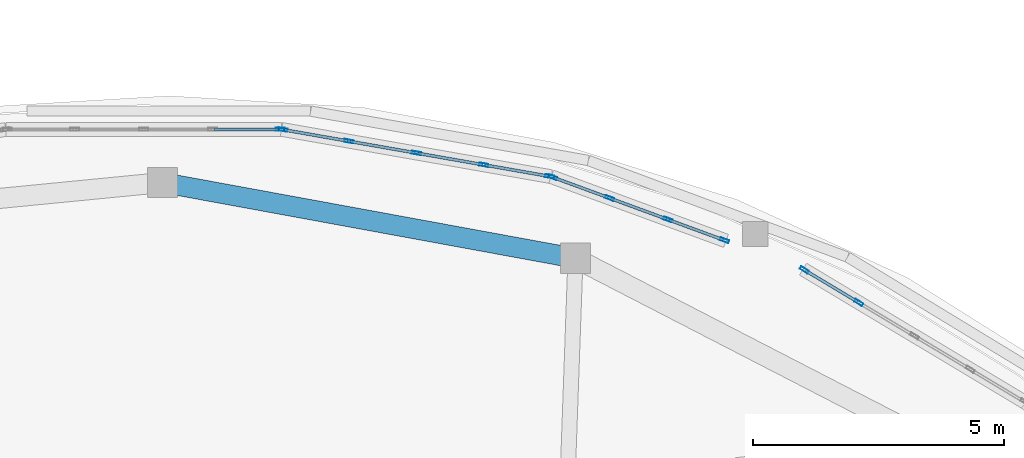
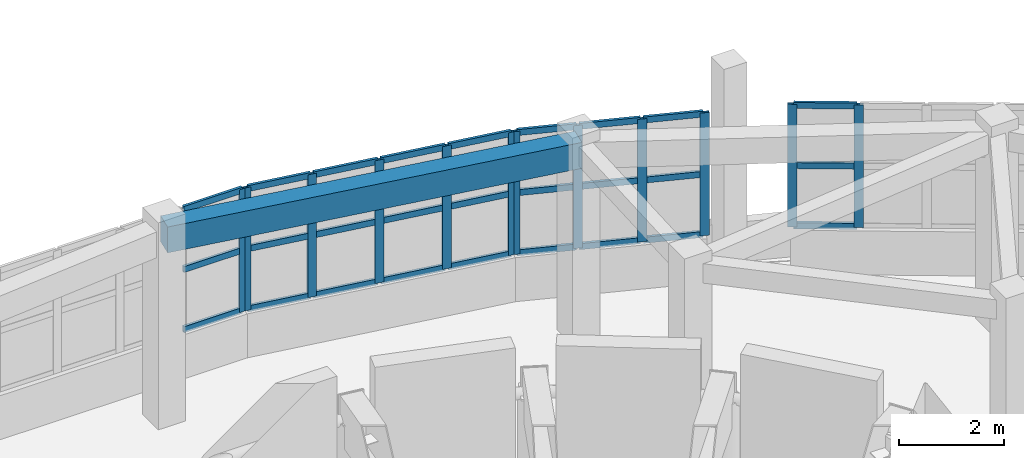
# One storey, part 33 of 69: 39 members, 1 beam, 4 elements without a shape of their own.
"""IFC4 building model written with IfcOpenShell, lengths in metres."""

import ifcopenshell
import ifcopenshell.guid

model = None  # the IFC model being written
_history = None  # IfcOwnerHistory: only IFC2X3 demands one
_inside = {}  # id of a spatial element -> (the spatial element, [elements in it])
_under = {}  # id of a project, library or spatial element -> (it, [spatial elements below it])
_declared = {}  # id of a project -> (the project, [libraries it declares])
_typed = {}  # id of a type object -> (the type object, [elements of that type])
_made_of = {}  # id of a material, layer set ... -> (it, [elements and type objects made of it])


def new_model(schema):
    """Start an empty IFC model of exactly this schema.

    Asked for "IFC4X3", IfcOpenShell would pick the latest addendum, in which some entities
    have other attributes; the version numbers below select the first issue.
    IFC2X3 requires an IfcOwnerHistory on every rooted entity: one is made here for all.
    """
    global model, _history
    if schema == "IFC4X3":
        model = ifcopenshell.file(schema_version=(4, 3, 0, 0))
    else:
        model = ifcopenshell.file(schema=schema)
    _inside.clear()
    _under.clear()
    _declared.clear()
    _typed.clear()
    _made_of.clear()
    _history = None
    if model.schema == "IFC2X3":
        org = make("IfcOrganization", Name="unknown")
        user = make(
            "IfcPersonAndOrganization",
            ThePerson=make("IfcPerson", FamilyName="unknown"),
            TheOrganization=org,
        )
        app = make(
            "IfcApplication",
            ApplicationDeveloper=org,
            Version="unknown",
            ApplicationFullName="unknown",
            ApplicationIdentifier="unknown",
        )
        _history = make(
            "IfcOwnerHistory",
            OwningUser=user,
            OwningApplication=app,
            ChangeAction="ADDED",
            CreationDate=0,
        )
    return model


def make(cls, **values):
    """One entity of the class cls with the attributes given. An attribute that is None is left unset."""
    return model.create_entity(
        cls, **{name: value for name, value in values.items() if value is not None}
    )


def rooted(cls, **values):
    """An entity with a GlobalId (a new one), such as an element, a storey or a relation."""
    return make(cls, GlobalId=ifcopenshell.guid.new(), OwnerHistory=_history, **values)


def si_unit(unit_type, name, prefix=None):
    """IfcSIUnit, for example si_unit("LENGTHUNIT", "METRE", prefix="MILLI")."""
    return make("IfcSIUnit", UnitType=unit_type, Prefix=prefix, Name=name)


def assignment(units):
    """IfcUnitAssignment: the units of a project."""
    return None if units is None else make("IfcUnitAssignment", Units=units)


def point(xyz):
    """IfcCartesianPoint."""
    return None if xyz is None else make("IfcCartesianPoint", Coordinates=xyz)


def direction(xyz):
    """IfcDirection."""
    return None if xyz is None else make("IfcDirection", DirectionRatios=xyz)


def frame(location, z_axis=None, x_axis=None):
    """IfcAxis2Placement3D, a coordinate frame: its origin and axes. An axis left out is left unset."""
    return make(
        "IfcAxis2Placement3D",
        Location=point(location),
        Axis=direction(z_axis),
        RefDirection=direction(x_axis),
    )


def frame_2d(location, x_axis=None):
    """IfcAxis2Placement2D, a coordinate frame in the plane: its origin and x axis."""
    return make(
        "IfcAxis2Placement2D", Location=point(location), RefDirection=direction(x_axis)
    )


def origin():
    """The frame at (0, 0, 0) with its axes left unset."""
    return frame((0.0, 0.0, 0.0))


def origin_2d():
    """The frame at (0, 0) in the plane with its x axis left unset."""
    return frame_2d((0.0, 0.0))


def place(relative_to, where):
    """IfcLocalPlacement: puts the frame where relative to a parent placement (None: the world)."""
    return make(
        "IfcLocalPlacement", PlacementRelTo=relative_to, RelativePlacement=where
    )


def context(
    kind, dimensions, precision=None, world=None, true_north=None, identifier=None
):
    """IfcGeometricRepresentationContext, for example the 3D "Model" context."""
    return make(
        "IfcGeometricRepresentationContext",
        ContextIdentifier=identifier,
        ContextType=kind,
        CoordinateSpaceDimension=dimensions,
        Precision=precision,
        WorldCoordinateSystem=world,
        TrueNorth=true_north,
    )


def subcontext(parent, identifier, kind, view, scale=None):
    """IfcGeometricRepresentationSubContext, for example "Body" below "Model"."""
    return make(
        "IfcGeometricRepresentationSubContext",
        ContextIdentifier=identifier,
        ContextType=kind,
        ParentContext=parent,
        TargetScale=scale,
        TargetView=view,
    )


def project(units=None, contexts=None):
    """IfcProject with its units and contexts."""
    return rooted(
        "IfcProject",
        Name="project",
        RepresentationContexts=contexts,
        UnitsInContext=assignment(units),
    )


def spatial(cls, under=None, at=None, **own):
    """A site, building, storey or space (cls), placed at a placement, below another one or the project."""
    s = rooted(cls, ObjectPlacement=at, **own)
    if under is not None:
        _under.setdefault(under.id(), (under, []))[1].append(s)
    return s


def profile(cls, at=None, kind="AREA", **sizes):
    """A parametric profile (cls). Its sizes go by their IFC names, for example OverallWidth=200.0."""
    return make(cls, ProfileType=kind, Position=at, **sizes)


def rectangle(**sizes):
    """IfcRectangleProfileDef."""
    return profile("IfcRectangleProfileDef", **sizes)


def hollow_rectangle(**sizes):
    """IfcRectangleHollowProfileDef."""
    return profile("IfcRectangleHollowProfileDef", **sizes)


def extrude(swept, where, along, depth):
    """IfcExtrudedAreaSolid: the profile swept, set in the frame where, extruded along a direction by depth."""
    return make(
        "IfcExtrudedAreaSolid",
        SweptArea=swept,
        Position=where,
        ExtrudedDirection=direction(along),
        Depth=depth,
    )


def shape(context_of_items, identifier, shape_type, items):
    """IfcShapeRepresentation: the items that make up one representation, for example the "Body"."""
    return make(
        "IfcShapeRepresentation",
        ContextOfItems=context_of_items,
        RepresentationIdentifier=identifier,
        RepresentationType=shape_type,
        Items=items,
    )


def material(Name=None, Category=None):
    """IfcMaterial."""
    return make("IfcMaterial", Name=Name, Category=Category)


def layer(
    of_material, thickness, ventilated=None, Name=None, Category=None, Priority=None
):
    """IfcMaterialLayer: one layer of a wall or slab, of a material (None: an air gap)."""
    return make(
        "IfcMaterialLayer",
        Material=of_material,
        LayerThickness=thickness,
        IsVentilated=ventilated,
        Name=Name,
        Category=Category,
        Priority=Priority,
    )


def layer_set(layers, Name=None):
    """IfcMaterialLayerSet."""
    return make("IfcMaterialLayerSet", MaterialLayers=layers, LayerSetName=Name)


def material_profile(
    of_material, cross_section, Name=None, Category=None, Priority=None
):
    """IfcMaterialProfile: a cross section and its material."""
    return make(
        "IfcMaterialProfile",
        Name=Name,
        Material=of_material,
        Profile=cross_section,
        Priority=Priority,
        Category=Category,
    )


def profile_set(profiles, Name=None, composite=None):
    """IfcMaterialProfileSet."""
    return make(
        "IfcMaterialProfileSet",
        Name=Name,
        MaterialProfiles=profiles,
        CompositeProfile=composite,
    )


def made_of(thing, what):
    """Note that an element or type object is made of a material, layer set ...; save() writes the relation."""
    if what is not None:
        _made_of.setdefault(what.id(), (what, []))[1].append(thing)
    return thing


def type_object(cls, material=None, **own):
    """A type object (cls), such as IfcWallType, which elements share."""
    return made_of(rooted(cls, **own), material)


def element(
    cls,
    number,
    at=None,
    inside=None,
    cuts=None,
    type_object=None,
    material=None,
    context=None,
    identifier="Body",
    shape_type=None,
    held_by="IfcProductDefinitionShape",
    body=None,
    shapes=None,
    **own,
):
    """One element of the class cls, such as IfcWall. Its Tag is "e" and its number.

    at: its placement. inside: the storey or other place that contains it. cuts: it is an
    opening in that element (IfcRelVoidsElement). A single representation is given by context,
    identifier, shape_type and body (its items); several are given by shapes. held_by: the class
    of the entity that holds the representations. save() writes the other relations.
    """
    e = rooted(cls, Tag="e%d" % number, ObjectPlacement=at, **own)
    if body is not None:
        shapes = [shape(context, identifier, shape_type, body)]
    if shapes is not None:
        e.Representation = make(held_by, Representations=shapes)
    if inside is not None:
        _inside.setdefault(inside.id(), (inside, []))[1].append(e)
    if cuts is not None:
        rooted(
            "IfcRelVoidsElement", RelatingBuildingElement=cuts, RelatedOpeningElement=e
        )
    if type_object is not None:
        _typed.setdefault(type_object.id(), (type_object, []))[1].append(e)
    return made_of(e, material)


def aggregate(whole, parts):
    """IfcRelAggregates: a whole, such as a stair, and the parts it consists of."""
    return rooted("IfcRelAggregates", RelatingObject=whole, RelatedObjects=parts)


def save(model, path):
    """Write the relations noted so far, then the file.

    IfcRelAggregates (storeys below a building ...), IfcRelContainedInSpatialStructure (elements
    in a storey), IfcRelDefinesByType, IfcRelAssociatesMaterial and IfcRelDeclares: one each for
    every whole, place, type object, material and project.
    """
    for whole, parts in _under.values():
        aggregate(whole, parts)
    for where, things in _inside.values():
        rooted(
            "IfcRelContainedInSpatialStructure",
            RelatedElements=things,
            RelatingStructure=where,
        )
    for kind, things in _typed.values():
        rooted("IfcRelDefinesByType", RelatedObjects=things, RelatingType=kind)
    for what, things in _made_of.values():
        rooted("IfcRelAssociatesMaterial", RelatedObjects=things, RelatingMaterial=what)
    for by, libraries in _declared.values():
        rooted("IfcRelDeclares", RelatingContext=by, RelatedDefinitions=libraries)
    model.write(path)


model = new_model("IFC4")

# Units and contexts
model_context = context("Model", 3, precision=1e-05, world=origin(), true_north=direction((0.0, 1.0)))
body_context = subcontext(model_context, "Body", "Model", "MODEL_VIEW")
ifc_project = project(units=[si_unit("LENGTHUNIT", "METRE"), si_unit("AREAUNIT", "SQUARE_METRE"), si_unit("VOLUMEUNIT", "CUBIC_METRE"), si_unit("PLANEANGLEUNIT", "RADIAN"), si_unit("MASSUNIT", "GRAM", prefix="KILO")], contexts=[model_context])

# Site, building, storey
site_placement = place(None, origin())
site = spatial("IfcSite", under=ifc_project, at=site_placement, CompositionType="ELEMENT")
building_placement = place(site_placement, origin())
building = spatial("IfcBuilding", under=site, at=building_placement, Name="Pelvatis Terrace Science Centre", CompositionType="ELEMENT")
storey_placement = place(building_placement, frame((0.0, 0.0, 15.0)))
storey = spatial("IfcBuildingStorey", under=building, at=storey_placement, Name="L03", CompositionType="ELEMENT", Elevation=15.0)

# Beam
ifc_material_1 = material(Name="Concrete C35/45", Category="concrete")
ifc_material_profile_1 = material_profile(ifc_material_1, rectangle(XDim=0.39990234375, YDim=0.60009765625, at=origin_2d()), Name="RC-BM 400x600")
ifc_profile_set_1 = profile_set([ifc_material_profile_1], Name="Concrete C35/45")
beam_type = type_object("IfcBeamType", Name="BM-RC-400x600", PredefinedType="BEAM", material=ifc_profile_set_1)
beam_placement = place(storey_placement, frame((118.69482421875, 102.9658203125, 4.25), z_axis=(-0.983601549943, 0.180355179991, 0.0), x_axis=(-0.180355179991, -0.983601549943, 0.0)))
element("IfcBeam", 1, at=beam_placement, inside=storey, type_object=beam_type, Name="Beam BM-L03-3016", PredefinedType="BEAM", context=body_context, shape_type="SweptSolid", body=[
    extrude(rectangle(XDim=0.39990234375, YDim=0.60009765625, at=origin_2d()), origin(), (0.0, 0.0, 1.0), 8.3603515625),
])

# Curtain wall, members
ifc_material_2 = material(Name="Bronze-anodised aluminium and laminated glass", Category="aluminium")
ifc_layer = layer(ifc_material_2, 0.179931640625)
ifc_layer_set = layer_set([ifc_layer], Name="Bronze-anodised aluminium and laminated glass")
curtain_wall_type = type_object("IfcCurtainWallType", Name="CW-RIBBON-A", PredefinedType="NOTDEFINED", material=ifc_layer_set)
curtain_wall_1_placement = place(storey_placement, origin())
curtain_wall_1 = element("IfcCurtainWall", 2, at=curtain_wall_1_placement, inside=storey, type_object=curtain_wall_type, Name="Ribbon curtain wall CW-187 (L03)", PredefinedType="NOTDEFINED")
ifc_material_3 = material(Name="Bronze-anodised aluminium 6063-T6", Category="aluminium")
ifc_material_profile_2 = material_profile(ifc_material_3, hollow_rectangle(XDim=0.06005859375, YDim=0.179931640625, WallThickness=0.00390625, at=origin_2d()), Name="ALU-MUL 60x180")
ifc_profile_set_2 = profile_set([ifc_material_profile_2], Name="Bronze-anodised aluminium 6063-T6")
member_type_1 = type_object("IfcMemberType", Name="CWM-60x180", PredefinedType="MULLION", material=ifc_profile_set_2)
member_1_placement = place(storey_placement, frame((124.3349609375, 102.084228515625, 1.02001953125), z_axis=(0.0, 0.0, 1.0), x_axis=(-0.51399559594, -0.857792823096, 0.0)))
member_1 = element("IfcMember", 3, at=member_1_placement, type_object=member_type_1, Name="CW-187 mullion 4", PredefinedType="MULLION", context=body_context, shape_type="SweptSolid", body=[
    extrude(hollow_rectangle(XDim=0.06005859375, YDim=0.179931640625, WallThickness=0.00390625, at=origin_2d()), origin(), (0.0, 0.0, 1.0), 2.85009765625),
])
member_2_placement = place(storey_placement, frame((123.250732421875, 102.73388671875, 1.02001953125), z_axis=(0.0, 0.0, 1.0), x_axis=(-0.51399559594, -0.857792823096, 0.0)))
member_2 = element("IfcMember", 4, at=member_2_placement, type_object=member_type_1, Name="CW-187 mullion 5", PredefinedType="MULLION", context=body_context, shape_type="SweptSolid", body=[
    extrude(hollow_rectangle(XDim=0.06005859375, YDim=0.179931640625, WallThickness=0.00390625, at=origin_2d()), origin(), (0.0, 0.0, 1.0), 2.85009765625),
])

curtain_wall_2_placement = place(storey_placement, origin())
curtain_wall_2 = element("IfcCurtainWall", 5, at=curtain_wall_2_placement, inside=storey, type_object=curtain_wall_type, Name="Ribbon curtain wall CW-188 (L03)", PredefinedType="NOTDEFINED")
member_3_placement = place(storey_placement, frame((121.663818359375, 103.32275390625, 1.02001953125), z_axis=(0.0, 0.0, 1.0), x_axis=(-0.344727736262, -0.938702715374, 0.0)))
member_3 = element("IfcMember", 6, at=member_3_placement, type_object=member_type_1, Name="CW-188 mullion 1", PredefinedType="MULLION", context=body_context, shape_type="SweptSolid", body=[
    extrude(hollow_rectangle(XDim=0.06005859375, YDim=0.179931640625, WallThickness=0.00390625, at=origin_2d()), origin(), (0.0, 0.0, 1.0), 2.85009765625),
])
member_4_placement = place(storey_placement, frame((120.531982421875, 103.73828125, 1.02001953125), z_axis=(0.0, 0.0, 1.0), x_axis=(-0.344727736262, -0.938702715374, 0.0)))
member_4 = element("IfcMember", 7, at=member_4_placement, type_object=member_type_1, Name="CW-188 mullion 2", PredefinedType="MULLION", context=body_context, shape_type="SweptSolid", body=[
    extrude(hollow_rectangle(XDim=0.06005859375, YDim=0.179931640625, WallThickness=0.00390625, at=origin_2d()), origin(), (0.0, 0.0, 1.0), 2.85009765625),
])
member_5_placement = place(storey_placement, frame((119.371826171875, 104.164306640625, 1.02001953125), z_axis=(0.0, 0.0, 1.0), x_axis=(-0.344727736262, -0.938702715374, 0.0)))
member_5 = element("IfcMember", 8, at=member_5_placement, type_object=member_type_1, Name="CW-188 mullion 3", PredefinedType="MULLION", context=body_context, shape_type="SweptSolid", body=[
    extrude(hollow_rectangle(XDim=0.06005859375, YDim=0.179931640625, WallThickness=0.00390625, at=origin_2d()), origin(), (0.0, 0.0, 1.0), 2.85009765625),
])
member_6_placement = place(storey_placement, frame((118.23974609375, 104.580078125, 1.02001953125), z_axis=(0.0, 0.0, 1.0), x_axis=(-0.344727736262, -0.938702715374, 0.0)))
member_6 = element("IfcMember", 9, at=member_6_placement, type_object=member_type_1, Name="CW-188 mullion 4", PredefinedType="MULLION", context=body_context, shape_type="SweptSolid", body=[
    extrude(hollow_rectangle(XDim=0.06005859375, YDim=0.179931640625, WallThickness=0.00390625, at=origin_2d()), origin(), (0.0, 0.0, 1.0), 2.85009765625),
])

curtain_wall_3_placement = place(storey_placement, origin())
curtain_wall_3 = element("IfcCurtainWall", 10, at=curtain_wall_3_placement, inside=storey, type_object=curtain_wall_type, Name="Ribbon curtain wall CW-189 (L03)", PredefinedType="NOTDEFINED")
member_7_placement = place(storey_placement, frame((118.18212890625, 104.595458984375, 1.02001953125), z_axis=(0.0, 0.0, 1.0), x_axis=(-0.172671428067, -0.984979480969, 0.0)))
member_7 = element("IfcMember", 11, at=member_7_placement, type_object=member_type_1, Name="CW-189 mullion 1", PredefinedType="MULLION", context=body_context, shape_type="SweptSolid", body=[
    extrude(hollow_rectangle(XDim=0.06005859375, YDim=0.179931640625, WallThickness=0.00390625, at=origin_2d()), origin(), (0.0, 0.0, 1.0), 2.85009765625),
])
member_8_placement = place(storey_placement, frame((116.86962890625, 104.82568359375, 1.02001953125), z_axis=(0.0, 0.0, 1.0), x_axis=(-0.172671428067, -0.984979480969, 0.0)))
member_8 = element("IfcMember", 12, at=member_8_placement, type_object=member_type_1, Name="CW-189 mullion 2", PredefinedType="MULLION", context=body_context, shape_type="SweptSolid", body=[
    extrude(hollow_rectangle(XDim=0.06005859375, YDim=0.179931640625, WallThickness=0.00390625, at=origin_2d()), origin(), (0.0, 0.0, 1.0), 2.85009765625),
])
member_9_placement = place(storey_placement, frame((115.52783203125, 105.060791015625, 1.02001953125), z_axis=(0.0, 0.0, 1.0), x_axis=(-0.172671428067, -0.984979480969, 0.0)))
member_9 = element("IfcMember", 13, at=member_9_placement, type_object=member_type_1, Name="CW-189 mullion 3", PredefinedType="MULLION", context=body_context, shape_type="SweptSolid", body=[
    extrude(hollow_rectangle(XDim=0.06005859375, YDim=0.179931640625, WallThickness=0.00390625, at=origin_2d()), origin(), (0.0, 0.0, 1.0), 2.85009765625),
])
member_10_placement = place(storey_placement, frame((114.185791015625, 105.296142578125, 1.02001953125), z_axis=(0.0, 0.0, 1.0), x_axis=(-0.172671428067, -0.984979480969, 0.0)))
member_10 = element("IfcMember", 14, at=member_10_placement, type_object=member_type_1, Name="CW-189 mullion 4", PredefinedType="MULLION", context=body_context, shape_type="SweptSolid", body=[
    extrude(hollow_rectangle(XDim=0.06005859375, YDim=0.179931640625, WallThickness=0.00390625, at=origin_2d()), origin(), (0.0, 0.0, 1.0), 2.85009765625),
])
member_11_placement = place(storey_placement, frame((112.87353515625, 105.526123046875, 1.02001953125), z_axis=(0.0, 0.0, 1.0), x_axis=(-0.172671428067, -0.984979480969, 0.0)))
member_11 = element("IfcMember", 15, at=member_11_placement, type_object=member_type_1, Name="CW-189 mullion 5", PredefinedType="MULLION", context=body_context, shape_type="SweptSolid", body=[
    extrude(hollow_rectangle(XDim=0.06005859375, YDim=0.179931640625, WallThickness=0.00390625, at=origin_2d()), origin(), (0.0, 0.0, 1.0), 2.85009765625),
])

# Curtain wall, member
curtain_wall_4_placement = place(storey_placement, origin())
curtain_wall_4 = element("IfcCurtainWall", 16, at=curtain_wall_4_placement, inside=storey, type_object=curtain_wall_type, Name="Ribbon curtain wall CW-190 (L03)", PredefinedType="NOTDEFINED")
member_12_placement = place(storey_placement, frame((112.81396484375, 105.531494140625, 1.02001953125), z_axis=(0.0, 0.0, 1.0), x_axis=(0.0, -1.0, 0.0)))
member_12 = element("IfcMember", 17, at=member_12_placement, type_object=member_type_1, Name="CW-190 mullion 1", PredefinedType="MULLION", context=body_context, shape_type="SweptSolid", body=[
    extrude(hollow_rectangle(XDim=0.06005859375, YDim=0.179931640625, WallThickness=0.00390625, at=origin_2d()), origin(), (0.0, 0.0, 1.0), 2.85009765625),
])

# Member
ifc_material_4 = material(Name="Bronze-anodised aluminium 6063-T6", Category="aluminium")
ifc_material_profile_3 = material_profile(ifc_material_4, hollow_rectangle(XDim=0.06005859375, YDim=0.139892578125, WallThickness=0.00390625, at=origin_2d()), Name="ALU-TRN 60x140")
ifc_profile_set_3 = profile_set([ifc_material_profile_3], Name="Bronze-anodised aluminium 6063-T6")
member_type_2 = type_object("IfcMemberType", Name="CWT-60x140", PredefinedType="USERDEFINED", material=ifc_profile_set_3)
member_13_placement = place(storey_placement, frame((124.30908203125, 102.099853515625, 1.050048828125), z_axis=(-0.857850603365, 0.513899155775, 0.0), x_axis=(-0.513899155775, -0.857850603365, 0.0)))
member_13 = element("IfcMember", 18, at=member_13_placement, type_object=member_type_2, Name="CW-187 transom 4.1", ObjectType="TRANSOM", PredefinedType="USERDEFINED", context=body_context, shape_type="SweptSolid", body=[
    extrude(hollow_rectangle(XDim=0.06005859375, YDim=0.139892578125, WallThickness=0.00390625, at=origin_2d()), origin(), (0.0, 0.0, 1.0), 1.203857421875),
])

member_14_placement = place(storey_placement, frame((124.30908203125, 102.099853515625, 2.445068359375), z_axis=(-0.857850603365, 0.513899155775, 0.0), x_axis=(-0.513899155775, -0.857850603365, 0.0)))
member_14 = element("IfcMember", 19, at=member_14_placement, type_object=member_type_2, Name="CW-187 transom 4.2", ObjectType="TRANSOM", PredefinedType="USERDEFINED", context=body_context, shape_type="SweptSolid", body=[
    extrude(hollow_rectangle(XDim=0.06005859375, YDim=0.139892578125, WallThickness=0.00390625, at=origin_2d()), origin(), (0.0, 0.0, 1.0), 1.203857421875),
])

member_15_placement = place(storey_placement, frame((124.30908203125, 102.099853515625, 3.840087890625), z_axis=(-0.857850603365, 0.513899155775, 0.0), x_axis=(-0.513899155775, -0.857850603365, 0.0)))
member_15 = element("IfcMember", 20, at=member_15_placement, type_object=member_type_2, Name="CW-187 transom 4.3", ObjectType="TRANSOM", PredefinedType="USERDEFINED", context=body_context, shape_type="SweptSolid", body=[
    extrude(hollow_rectangle(XDim=0.06005859375, YDim=0.139892578125, WallThickness=0.00390625, at=origin_2d()), origin(), (0.0, 0.0, 1.0), 1.203857421875),
])

aggregate(curtain_wall_1, [member_1, member_2, member_13, member_14, member_15])

member_16_placement = place(storey_placement, frame((121.6357421875, 103.3330078125, 1.050048828125), z_axis=(-0.938706344417, 0.344717854123, 0.0), x_axis=(-0.344717854123, -0.938706344417, 0.0)))
member_16 = element("IfcMember", 21, at=member_16_placement, type_object=member_type_2, Name="CW-188 transom 1.1", ObjectType="TRANSOM", PredefinedType="USERDEFINED", context=body_context, shape_type="SweptSolid", body=[
    extrude(hollow_rectangle(XDim=0.06005859375, YDim=0.139892578125, WallThickness=0.00390625, at=origin_2d()), origin(), (0.0, 0.0, 1.0), 1.14599609375),
])

member_17_placement = place(storey_placement, frame((121.6357421875, 103.3330078125, 2.445068359375), z_axis=(-0.938706344417, 0.344717854123, 0.0), x_axis=(-0.344717854123, -0.938706344417, 0.0)))
member_17 = element("IfcMember", 22, at=member_17_placement, type_object=member_type_2, Name="CW-188 transom 1.2", ObjectType="TRANSOM", PredefinedType="USERDEFINED", context=body_context, shape_type="SweptSolid", body=[
    extrude(hollow_rectangle(XDim=0.06005859375, YDim=0.139892578125, WallThickness=0.00390625, at=origin_2d()), origin(), (0.0, 0.0, 1.0), 1.14599609375),
])

member_18_placement = place(storey_placement, frame((121.6357421875, 103.3330078125, 3.840087890625), z_axis=(-0.938706344417, 0.344717854123, 0.0), x_axis=(-0.344717854123, -0.938706344417, 0.0)))
member_18 = element("IfcMember", 23, at=member_18_placement, type_object=member_type_2, Name="CW-188 transom 1.3", ObjectType="TRANSOM", PredefinedType="USERDEFINED", context=body_context, shape_type="SweptSolid", body=[
    extrude(hollow_rectangle(XDim=0.06005859375, YDim=0.139892578125, WallThickness=0.00390625, at=origin_2d()), origin(), (0.0, 0.0, 1.0), 1.14599609375),
])

member_19_placement = place(storey_placement, frame((120.503662109375, 103.748779296875, 1.050048828125), z_axis=(-0.938721867308, 0.344675580564, 0.0), x_axis=(-0.344675580564, -0.938721867308, 0.0)))
member_19 = element("IfcMember", 24, at=member_19_placement, type_object=member_type_2, Name="CW-188 transom 2.1", ObjectType="TRANSOM", PredefinedType="USERDEFINED", context=body_context, shape_type="SweptSolid", body=[
    extrude(hollow_rectangle(XDim=0.06005859375, YDim=0.139892578125, WallThickness=0.00390625, at=origin_2d()), origin(), (0.0, 0.0, 1.0), 1.17578125),
])

member_20_placement = place(storey_placement, frame((120.503662109375, 103.748779296875, 2.445068359375), z_axis=(-0.938721867308, 0.344675580564, 0.0), x_axis=(-0.344675580564, -0.938721867308, 0.0)))
member_20 = element("IfcMember", 25, at=member_20_placement, type_object=member_type_2, Name="CW-188 transom 2.2", ObjectType="TRANSOM", PredefinedType="USERDEFINED", context=body_context, shape_type="SweptSolid", body=[
    extrude(hollow_rectangle(XDim=0.06005859375, YDim=0.139892578125, WallThickness=0.00390625, at=origin_2d()), origin(), (0.0, 0.0, 1.0), 1.17578125),
])

member_21_placement = place(storey_placement, frame((120.503662109375, 103.748779296875, 3.840087890625), z_axis=(-0.938721867308, 0.344675580564, 0.0), x_axis=(-0.344675580564, -0.938721867308, 0.0)))
member_21 = element("IfcMember", 26, at=member_21_placement, type_object=member_type_2, Name="CW-188 transom 2.3", ObjectType="TRANSOM", PredefinedType="USERDEFINED", context=body_context, shape_type="SweptSolid", body=[
    extrude(hollow_rectangle(XDim=0.06005859375, YDim=0.139892578125, WallThickness=0.00390625, at=origin_2d()), origin(), (0.0, 0.0, 1.0), 1.17578125),
])

member_22_placement = place(storey_placement, frame((119.34375, 104.1748046875, 1.050048828125), z_axis=(-0.938706344417, 0.344717854123, 0.0), x_axis=(-0.344717854123, -0.938706344417, 0.0)))
member_22 = element("IfcMember", 27, at=member_22_placement, type_object=member_type_2, Name="CW-188 transom 3.1", ObjectType="TRANSOM", PredefinedType="USERDEFINED", context=body_context, shape_type="SweptSolid", body=[
    extrude(hollow_rectangle(XDim=0.06005859375, YDim=0.139892578125, WallThickness=0.00390625, at=origin_2d()), origin(), (0.0, 0.0, 1.0), 1.14599609375),
])

member_23_placement = place(storey_placement, frame((119.34375, 104.1748046875, 2.445068359375), z_axis=(-0.938706344417, 0.344717854123, 0.0), x_axis=(-0.344717854123, -0.938706344417, 0.0)))
member_23 = element("IfcMember", 28, at=member_23_placement, type_object=member_type_2, Name="CW-188 transom 3.2", ObjectType="TRANSOM", PredefinedType="USERDEFINED", context=body_context, shape_type="SweptSolid", body=[
    extrude(hollow_rectangle(XDim=0.06005859375, YDim=0.139892578125, WallThickness=0.00390625, at=origin_2d()), origin(), (0.0, 0.0, 1.0), 1.14599609375),
])

member_24_placement = place(storey_placement, frame((119.34375, 104.1748046875, 3.840087890625), z_axis=(-0.938706344417, 0.344717854123, 0.0), x_axis=(-0.344717854123, -0.938706344417, 0.0)))
member_24 = element("IfcMember", 29, at=member_24_placement, type_object=member_type_2, Name="CW-188 transom 3.3", ObjectType="TRANSOM", PredefinedType="USERDEFINED", context=body_context, shape_type="SweptSolid", body=[
    extrude(hollow_rectangle(XDim=0.06005859375, YDim=0.139892578125, WallThickness=0.00390625, at=origin_2d()), origin(), (0.0, 0.0, 1.0), 1.14599609375),
])

aggregate(curtain_wall_2, [member_3, member_4, member_5, member_6, member_16, member_17, member_18, member_19, member_20, member_21, member_22, member_23, member_24])

member_25_placement = place(storey_placement, frame((118.152587890625, 104.600830078125, 1.050048828125), z_axis=(-0.984974209133, 0.172701497802, 0.0), x_axis=(-0.172701497802, -0.984974209133, 0.0)))
member_25 = element("IfcMember", 30, at=member_25_placement, type_object=member_type_2, Name="CW-189 transom 1.1", ObjectType="TRANSOM", PredefinedType="USERDEFINED", context=body_context, shape_type="SweptSolid", body=[
    extrude(hollow_rectangle(XDim=0.06005859375, YDim=0.139892578125, WallThickness=0.00390625, at=origin_2d()), origin(), (0.0, 0.0, 1.0), 1.272216796875),
])

member_26_placement = place(storey_placement, frame((118.152587890625, 104.600830078125, 2.445068359375), z_axis=(-0.984974209133, 0.172701497802, 0.0), x_axis=(-0.172701497802, -0.984974209133, 0.0)))
member_26 = element("IfcMember", 31, at=member_26_placement, type_object=member_type_2, Name="CW-189 transom 1.2", ObjectType="TRANSOM", PredefinedType="USERDEFINED", context=body_context, shape_type="SweptSolid", body=[
    extrude(hollow_rectangle(XDim=0.06005859375, YDim=0.139892578125, WallThickness=0.00390625, at=origin_2d()), origin(), (0.0, 0.0, 1.0), 1.272216796875),
])

member_27_placement = place(storey_placement, frame((118.152587890625, 104.600830078125, 3.840087890625), z_axis=(-0.984974209133, 0.172701497802, 0.0), x_axis=(-0.172701497802, -0.984974209133, 0.0)))
member_27 = element("IfcMember", 32, at=member_27_placement, type_object=member_type_2, Name="CW-189 transom 1.3", ObjectType="TRANSOM", PredefinedType="USERDEFINED", context=body_context, shape_type="SweptSolid", body=[
    extrude(hollow_rectangle(XDim=0.06005859375, YDim=0.139892578125, WallThickness=0.00390625, at=origin_2d()), origin(), (0.0, 0.0, 1.0), 1.272216796875),
])

member_28_placement = place(storey_placement, frame((116.840087890625, 104.830810546875, 1.050048828125), z_axis=(-0.984981085924, 0.17266227258, 0.0), x_axis=(-0.17266227258, -0.984981085924, 0.0)))
member_28 = element("IfcMember", 33, at=member_28_placement, type_object=member_type_2, Name="CW-189 transom 2.1", ObjectType="TRANSOM", PredefinedType="USERDEFINED", context=body_context, shape_type="SweptSolid", body=[
    extrude(hollow_rectangle(XDim=0.06005859375, YDim=0.139892578125, WallThickness=0.00390625, at=origin_2d()), origin(), (0.0, 0.0, 1.0), 1.30224609375),
])

member_29_placement = place(storey_placement, frame((116.840087890625, 104.830810546875, 2.445068359375), z_axis=(-0.984981085924, 0.17266227258, 0.0), x_axis=(-0.17266227258, -0.984981085924, 0.0)))
member_29 = element("IfcMember", 34, at=member_29_placement, type_object=member_type_2, Name="CW-189 transom 2.2", ObjectType="TRANSOM", PredefinedType="USERDEFINED", context=body_context, shape_type="SweptSolid", body=[
    extrude(hollow_rectangle(XDim=0.06005859375, YDim=0.139892578125, WallThickness=0.00390625, at=origin_2d()), origin(), (0.0, 0.0, 1.0), 1.30224609375),
])

member_30_placement = place(storey_placement, frame((116.840087890625, 104.830810546875, 3.840087890625), z_axis=(-0.984981085924, 0.17266227258, 0.0), x_axis=(-0.17266227258, -0.984981085924, 0.0)))
member_30 = element("IfcMember", 35, at=member_30_placement, type_object=member_type_2, Name="CW-189 transom 2.3", ObjectType="TRANSOM", PredefinedType="USERDEFINED", context=body_context, shape_type="SweptSolid", body=[
    extrude(hollow_rectangle(XDim=0.06005859375, YDim=0.139892578125, WallThickness=0.00390625, at=origin_2d()), origin(), (0.0, 0.0, 1.0), 1.30224609375),
])

member_31_placement = place(storey_placement, frame((115.498291015625, 105.066162109375, 1.050048828125), z_axis=(-0.984986673358, 0.172630395083, 0.0), x_axis=(-0.172630395083, -0.984986673358, 0.0)))
member_31 = element("IfcMember", 36, at=member_31_placement, type_object=member_type_2, Name="CW-189 transom 3.1", ObjectType="TRANSOM", PredefinedType="USERDEFINED", context=body_context, shape_type="SweptSolid", body=[
    extrude(hollow_rectangle(XDim=0.06005859375, YDim=0.139892578125, WallThickness=0.00390625, at=origin_2d()), origin(), (0.0, 0.0, 1.0), 1.302490234375),
])

member_32_placement = place(storey_placement, frame((115.498291015625, 105.066162109375, 2.445068359375), z_axis=(-0.984986673358, 0.172630395083, 0.0), x_axis=(-0.172630395083, -0.984986673358, 0.0)))
member_32 = element("IfcMember", 37, at=member_32_placement, type_object=member_type_2, Name="CW-189 transom 3.2", ObjectType="TRANSOM", PredefinedType="USERDEFINED", context=body_context, shape_type="SweptSolid", body=[
    extrude(hollow_rectangle(XDim=0.06005859375, YDim=0.139892578125, WallThickness=0.00390625, at=origin_2d()), origin(), (0.0, 0.0, 1.0), 1.302490234375),
])

member_33_placement = place(storey_placement, frame((115.498291015625, 105.066162109375, 3.840087890625), z_axis=(-0.984986673358, 0.172630395083, 0.0), x_axis=(-0.172630395083, -0.984986673358, 0.0)))
member_33 = element("IfcMember", 38, at=member_33_placement, type_object=member_type_2, Name="CW-189 transom 3.3", ObjectType="TRANSOM", PredefinedType="USERDEFINED", context=body_context, shape_type="SweptSolid", body=[
    extrude(hollow_rectangle(XDim=0.06005859375, YDim=0.139892578125, WallThickness=0.00390625, at=origin_2d()), origin(), (0.0, 0.0, 1.0), 1.302490234375),
])

member_34_placement = place(storey_placement, frame((114.15625, 105.30126953125, 1.050048828125), z_axis=(-0.984974209133, 0.172701497802, 0.0), x_axis=(-0.172701497802, -0.984974209133, 0.0)))
member_34 = element("IfcMember", 39, at=member_34_placement, type_object=member_type_2, Name="CW-189 transom 4.1", ObjectType="TRANSOM", PredefinedType="USERDEFINED", context=body_context, shape_type="SweptSolid", body=[
    extrude(hollow_rectangle(XDim=0.06005859375, YDim=0.139892578125, WallThickness=0.00390625, at=origin_2d()), origin(), (0.0, 0.0, 1.0), 1.272216796875),
])

member_35_placement = place(storey_placement, frame((114.15625, 105.30126953125, 2.445068359375), z_axis=(-0.984974209133, 0.172701497802, 0.0), x_axis=(-0.172701497802, -0.984974209133, 0.0)))
member_35 = element("IfcMember", 40, at=member_35_placement, type_object=member_type_2, Name="CW-189 transom 4.2", ObjectType="TRANSOM", PredefinedType="USERDEFINED", context=body_context, shape_type="SweptSolid", body=[
    extrude(hollow_rectangle(XDim=0.06005859375, YDim=0.139892578125, WallThickness=0.00390625, at=origin_2d()), origin(), (0.0, 0.0, 1.0), 1.272216796875),
])

member_36_placement = place(storey_placement, frame((114.15625, 105.30126953125, 3.840087890625), z_axis=(-0.984974209133, 0.172701497802, 0.0), x_axis=(-0.172701497802, -0.984974209133, 0.0)))
member_36 = element("IfcMember", 41, at=member_36_placement, type_object=member_type_2, Name="CW-189 transom 4.3", ObjectType="TRANSOM", PredefinedType="USERDEFINED", context=body_context, shape_type="SweptSolid", body=[
    extrude(hollow_rectangle(XDim=0.06005859375, YDim=0.139892578125, WallThickness=0.00390625, at=origin_2d()), origin(), (0.0, 0.0, 1.0), 1.272216796875),
])

aggregate(curtain_wall_3, [member_7, member_8, member_9, member_10, member_11, member_25, member_26, member_27, member_28, member_29, member_30, member_31, member_32, member_33, member_34, member_35, member_36])

member_37_placement = place(storey_placement, frame((112.783935546875, 105.531494140625, 1.050048828125), z_axis=(-1.0, 0.0, 0.0), x_axis=(0.0, -1.0, 0.0)))
member_37 = element("IfcMember", 42, at=member_37_placement, type_object=member_type_2, Name="CW-190 transom 1.1", ObjectType="TRANSOM", PredefinedType="USERDEFINED", context=body_context, shape_type="SweptSolid", body=[
    extrude(hollow_rectangle(XDim=0.06005859375, YDim=0.139892578125, WallThickness=0.00390625, at=origin_2d()), origin(), (0.0, 0.0, 1.0), 1.281982421875),
])

member_38_placement = place(storey_placement, frame((112.783935546875, 105.531494140625, 2.445068359375), z_axis=(-1.0, 0.0, 0.0), x_axis=(0.0, -1.0, 0.0)))
member_38 = element("IfcMember", 43, at=member_38_placement, type_object=member_type_2, Name="CW-190 transom 1.2", ObjectType="TRANSOM", PredefinedType="USERDEFINED", context=body_context, shape_type="SweptSolid", body=[
    extrude(hollow_rectangle(XDim=0.06005859375, YDim=0.139892578125, WallThickness=0.00390625, at=origin_2d()), origin(), (0.0, 0.0, 1.0), 1.281982421875),
])

member_39_placement = place(storey_placement, frame((112.783935546875, 105.531494140625, 3.840087890625), z_axis=(-1.0, 0.0, 0.0), x_axis=(0.0, -1.0, 0.0)))
member_39 = element("IfcMember", 44, at=member_39_placement, type_object=member_type_2, Name="CW-190 transom 1.3", ObjectType="TRANSOM", PredefinedType="USERDEFINED", context=body_context, shape_type="SweptSolid", body=[
    extrude(hollow_rectangle(XDim=0.06005859375, YDim=0.139892578125, WallThickness=0.00390625, at=origin_2d()), origin(), (0.0, 0.0, 1.0), 1.281982421875),
])

aggregate(curtain_wall_4, [member_12, member_37, member_38, member_39])

save(model, "model.ifc")
